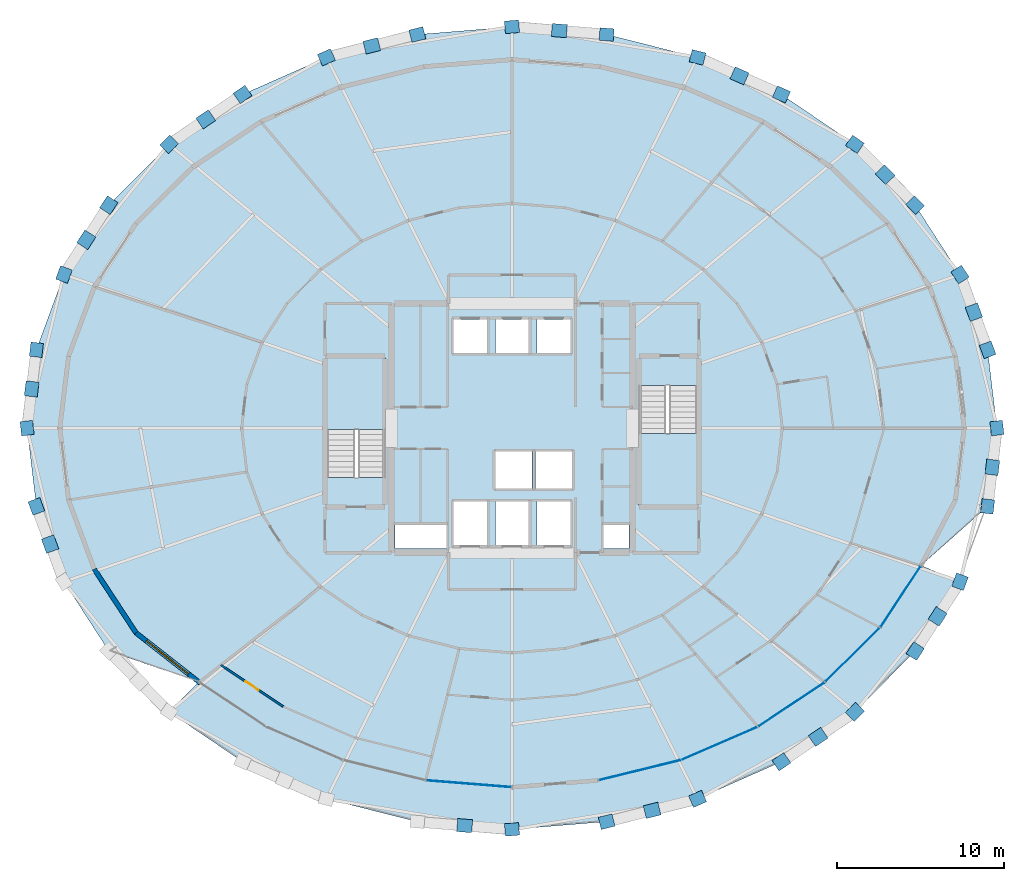
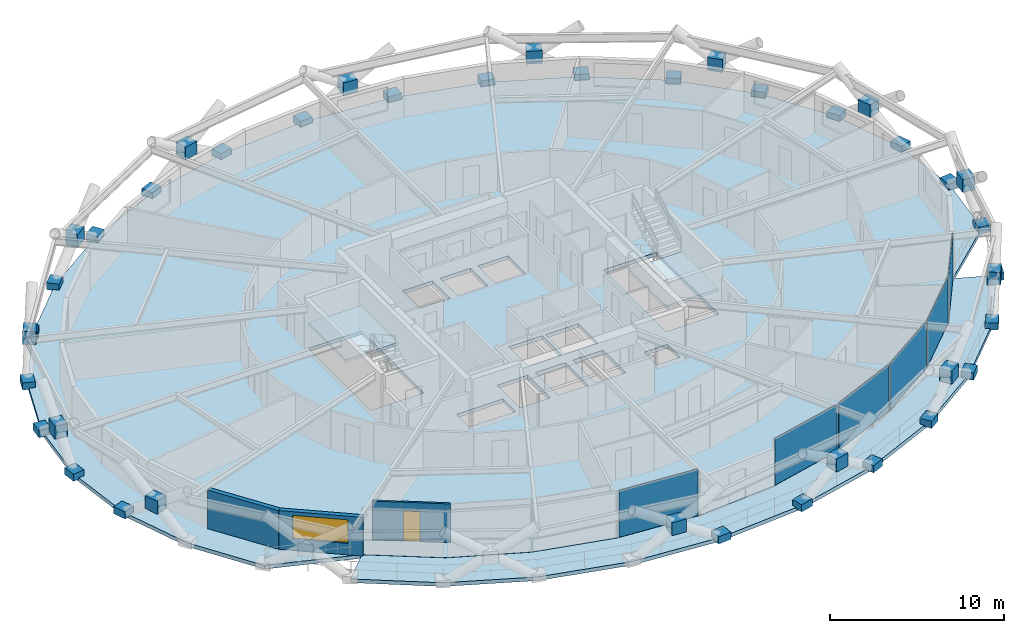
# One storey, part 12 of 19: 46 plates, 4 slabs, 3 walls, 1 door, 1 window, 2 openings, 4 elements without a shape of their own.
"""IFC4 building model written with IfcOpenShell, lengths in metres."""

import ifcopenshell
import ifcopenshell.guid

model = None  # the IFC model being written
_history = None  # IfcOwnerHistory: only IFC2X3 demands one
_inside = {}  # id of a spatial element -> (the spatial element, [elements in it])
_under = {}  # id of a project, library or spatial element -> (it, [spatial elements below it])
_declared = {}  # id of a project -> (the project, [libraries it declares])
_typed = {}  # id of a type object -> (the type object, [elements of that type])
_made_of = {}  # id of a material, layer set ... -> (it, [elements and type objects made of it])


def new_model(schema):
    """Start an empty IFC model of exactly this schema.

    Asked for "IFC4X3", IfcOpenShell would pick the latest addendum, in which some entities
    have other attributes; the version numbers below select the first issue.
    IFC2X3 requires an IfcOwnerHistory on every rooted entity: one is made here for all.
    """
    global model, _history
    if schema == "IFC4X3":
        model = ifcopenshell.file(schema_version=(4, 3, 0, 0))
    else:
        model = ifcopenshell.file(schema=schema)
    _inside.clear()
    _under.clear()
    _declared.clear()
    _typed.clear()
    _made_of.clear()
    _history = None
    if model.schema == "IFC2X3":
        org = make("IfcOrganization", Name="unknown")
        user = make(
            "IfcPersonAndOrganization",
            ThePerson=make("IfcPerson", FamilyName="unknown"),
            TheOrganization=org,
        )
        app = make(
            "IfcApplication",
            ApplicationDeveloper=org,
            Version="unknown",
            ApplicationFullName="unknown",
            ApplicationIdentifier="unknown",
        )
        _history = make(
            "IfcOwnerHistory",
            OwningUser=user,
            OwningApplication=app,
            ChangeAction="ADDED",
            CreationDate=0,
        )
    return model


def make(cls, **values):
    """One entity of the class cls with the attributes given. An attribute that is None is left unset."""
    return model.create_entity(
        cls, **{name: value for name, value in values.items() if value is not None}
    )


def rooted(cls, **values):
    """An entity with a GlobalId (a new one), such as an element, a storey or a relation."""
    return make(cls, GlobalId=ifcopenshell.guid.new(), OwnerHistory=_history, **values)


def si_unit(unit_type, name, prefix=None):
    """IfcSIUnit, for example si_unit("LENGTHUNIT", "METRE", prefix="MILLI")."""
    return make("IfcSIUnit", UnitType=unit_type, Prefix=prefix, Name=name)


def assignment(units):
    """IfcUnitAssignment: the units of a project."""
    return None if units is None else make("IfcUnitAssignment", Units=units)


def point(xyz):
    """IfcCartesianPoint."""
    return None if xyz is None else make("IfcCartesianPoint", Coordinates=xyz)


def direction(xyz):
    """IfcDirection."""
    return None if xyz is None else make("IfcDirection", DirectionRatios=xyz)


def frame(location, z_axis=None, x_axis=None):
    """IfcAxis2Placement3D, a coordinate frame: its origin and axes. An axis left out is left unset."""
    return make(
        "IfcAxis2Placement3D",
        Location=point(location),
        Axis=direction(z_axis),
        RefDirection=direction(x_axis),
    )


def frame_2d(location, x_axis=None):
    """IfcAxis2Placement2D, a coordinate frame in the plane: its origin and x axis."""
    return make(
        "IfcAxis2Placement2D", Location=point(location), RefDirection=direction(x_axis)
    )


def origin():
    """The frame at (0, 0, 0) with its axes left unset."""
    return frame((0.0, 0.0, 0.0))


def origin_2d():
    """The frame at (0, 0) in the plane with its x axis left unset."""
    return frame_2d((0.0, 0.0))


def place(relative_to, where):
    """IfcLocalPlacement: puts the frame where relative to a parent placement (None: the world)."""
    return make(
        "IfcLocalPlacement", PlacementRelTo=relative_to, RelativePlacement=where
    )


def context(
    kind, dimensions, precision=None, world=None, true_north=None, identifier=None
):
    """IfcGeometricRepresentationContext, for example the 3D "Model" context."""
    return make(
        "IfcGeometricRepresentationContext",
        ContextIdentifier=identifier,
        ContextType=kind,
        CoordinateSpaceDimension=dimensions,
        Precision=precision,
        WorldCoordinateSystem=world,
        TrueNorth=true_north,
    )


def subcontext(parent, identifier, kind, view, scale=None):
    """IfcGeometricRepresentationSubContext, for example "Body" below "Model"."""
    return make(
        "IfcGeometricRepresentationSubContext",
        ContextIdentifier=identifier,
        ContextType=kind,
        ParentContext=parent,
        TargetScale=scale,
        TargetView=view,
    )


def project(units=None, contexts=None):
    """IfcProject with its units and contexts."""
    return rooted(
        "IfcProject",
        Name="project",
        RepresentationContexts=contexts,
        UnitsInContext=assignment(units),
    )


def spatial(cls, under=None, at=None, **own):
    """A site, building, storey or space (cls), placed at a placement, below another one or the project."""
    s = rooted(cls, ObjectPlacement=at, **own)
    if under is not None:
        _under.setdefault(under.id(), (under, []))[1].append(s)
    return s


def polyline(points):
    """IfcPolyline through the points."""
    return make("IfcPolyline", Points=[point(p) for p in points])


def profile(cls, at=None, kind="AREA", **sizes):
    """A parametric profile (cls). Its sizes go by their IFC names, for example OverallWidth=200.0."""
    return make(cls, ProfileType=kind, Position=at, **sizes)


def rectangle(**sizes):
    """IfcRectangleProfileDef."""
    return profile("IfcRectangleProfileDef", **sizes)


def outline(outer, holes=None, kind="AREA"):
    """IfcArbitraryClosedProfileDef: a profile drawn as a closed curve; with holes, ...WithVoids."""
    if holes is None:
        return make("IfcArbitraryClosedProfileDef", ProfileType=kind, OuterCurve=outer)
    return make(
        "IfcArbitraryProfileDefWithVoids",
        ProfileType=kind,
        OuterCurve=outer,
        InnerCurves=holes,
    )


def extrude(swept, where, along, depth):
    """IfcExtrudedAreaSolid: the profile swept, set in the frame where, extruded along a direction by depth."""
    return make(
        "IfcExtrudedAreaSolid",
        SweptArea=swept,
        Position=where,
        ExtrudedDirection=direction(along),
        Depth=depth,
    )


def shape(context_of_items, identifier, shape_type, items):
    """IfcShapeRepresentation: the items that make up one representation, for example the "Body"."""
    return make(
        "IfcShapeRepresentation",
        ContextOfItems=context_of_items,
        RepresentationIdentifier=identifier,
        RepresentationType=shape_type,
        Items=items,
    )


def material(Name=None, Category=None):
    """IfcMaterial."""
    return make("IfcMaterial", Name=Name, Category=Category)


def layer(
    of_material, thickness, ventilated=None, Name=None, Category=None, Priority=None
):
    """IfcMaterialLayer: one layer of a wall or slab, of a material (None: an air gap)."""
    return make(
        "IfcMaterialLayer",
        Material=of_material,
        LayerThickness=thickness,
        IsVentilated=ventilated,
        Name=Name,
        Category=Category,
        Priority=Priority,
    )


def layer_set(layers, Name=None):
    """IfcMaterialLayerSet."""
    return make("IfcMaterialLayerSet", MaterialLayers=layers, LayerSetName=Name)


def made_of(thing, what):
    """Note that an element or type object is made of a material, layer set ...; save() writes the relation."""
    if what is not None:
        _made_of.setdefault(what.id(), (what, []))[1].append(thing)
    return thing


def type_object(cls, material=None, **own):
    """A type object (cls), such as IfcWallType, which elements share."""
    return made_of(rooted(cls, **own), material)


def element(
    cls,
    number,
    at=None,
    inside=None,
    cuts=None,
    type_object=None,
    material=None,
    context=None,
    identifier="Body",
    shape_type=None,
    held_by="IfcProductDefinitionShape",
    body=None,
    shapes=None,
    **own,
):
    """One element of the class cls, such as IfcWall. Its Tag is "e" and its number.

    at: its placement. inside: the storey or other place that contains it. cuts: it is an
    opening in that element (IfcRelVoidsElement). A single representation is given by context,
    identifier, shape_type and body (its items); several are given by shapes. held_by: the class
    of the entity that holds the representations. save() writes the other relations.
    """
    e = rooted(cls, Tag="e%d" % number, ObjectPlacement=at, **own)
    if body is not None:
        shapes = [shape(context, identifier, shape_type, body)]
    if shapes is not None:
        e.Representation = make(held_by, Representations=shapes)
    if inside is not None:
        _inside.setdefault(inside.id(), (inside, []))[1].append(e)
    if cuts is not None:
        rooted(
            "IfcRelVoidsElement", RelatingBuildingElement=cuts, RelatedOpeningElement=e
        )
    if type_object is not None:
        _typed.setdefault(type_object.id(), (type_object, []))[1].append(e)
    return made_of(e, material)


def fill(opening, filler):
    """IfcRelFillsElement: the door or window that sits in an opening."""
    return rooted(
        "IfcRelFillsElement",
        RelatingOpeningElement=opening,
        RelatedBuildingElement=filler,
    )


def aggregate(whole, parts):
    """IfcRelAggregates: a whole, such as a stair, and the parts it consists of."""
    return rooted("IfcRelAggregates", RelatingObject=whole, RelatedObjects=parts)


def save(model, path):
    """Write the relations noted so far, then the file.

    IfcRelAggregates (storeys below a building ...), IfcRelContainedInSpatialStructure (elements
    in a storey), IfcRelDefinesByType, IfcRelAssociatesMaterial and IfcRelDeclares: one each for
    every whole, place, type object, material and project.
    """
    for whole, parts in _under.values():
        aggregate(whole, parts)
    for where, things in _inside.values():
        rooted(
            "IfcRelContainedInSpatialStructure",
            RelatedElements=things,
            RelatingStructure=where,
        )
    for kind, things in _typed.values():
        rooted("IfcRelDefinesByType", RelatedObjects=things, RelatingType=kind)
    for what, things in _made_of.values():
        rooted("IfcRelAssociatesMaterial", RelatedObjects=things, RelatingMaterial=what)
    for by, libraries in _declared.values():
        rooted("IfcRelDeclares", RelatingContext=by, RelatedDefinitions=libraries)
    model.write(path)


model = new_model("IFC4")

# Units and contexts
model_context = context("Model", 3, precision=1e-05, world=origin(), true_north=direction((0.0, 1.0)))
body_context = subcontext(model_context, "Body", "Model", "MODEL_VIEW")
ifc_project = project(units=[si_unit("LENGTHUNIT", "METRE"), si_unit("AREAUNIT", "SQUARE_METRE"), si_unit("VOLUMEUNIT", "CUBIC_METRE"), si_unit("PLANEANGLEUNIT", "RADIAN"), si_unit("MASSUNIT", "GRAM", prefix="KILO")], contexts=[model_context])

# Site, building, storey
site_placement = place(None, origin())
site = spatial("IfcSite", under=ifc_project, at=site_placement, CompositionType="ELEMENT")
building_placement = place(site_placement, origin())
building = spatial("IfcBuilding", under=site, at=building_placement, Name="Veldorina Hangang Commons", CompositionType="ELEMENT")
storey_placement = place(building_placement, frame((0.0, 0.0, 77.199951171875)))
storey = spatial("IfcBuildingStorey", under=building, at=storey_placement, Name="L19", CompositionType="ELEMENT", Elevation=77.199951171875)

# Curtain wall, plate
ifc_material_1 = material(Name="Glass Low-E Triple IGU", Category="glass")
ifc_layer_1 = layer(ifc_material_1, 0.179931640625)
ifc_layer_set_1 = layer_set([ifc_layer_1], Name="Glass Low-E Triple IGU")
curtain_wall_type = type_object("IfcCurtainWallType", Name="CW-SYS-Z1", PredefinedType="NOTDEFINED", material=ifc_layer_set_1)
curtain_wall_1_placement = place(storey_placement, origin())
curtain_wall_1 = element("IfcCurtainWall", 1, at=curtain_wall_1_placement, inside=storey, type_object=curtain_wall_type, Name="L19 unitised curtain wall CW-L19-R1", PredefinedType="NOTDEFINED")
ifc_layer_2 = layer(ifc_material_1, 0.0400390625)
ifc_layer_set_2 = layer_set([ifc_layer_2], Name="Glass Low-E Triple IGU")
plate_type_1 = type_object("IfcPlateType", Name="CW-PNL-VIS", PredefinedType="CURTAIN_PANEL", material=ifc_layer_set_2)
plate_1_placement = place(storey_placement, frame((29.41796875, 2.735595703125, 0.01513671875), z_axis=(0.0, 0.0, 1.0), x_axis=(0.996823514521, -0.079642205503, 0.0)))
plate_1 = element("IfcPlate", 2, at=plate_1_placement, type_object=plate_type_1, Name="CW-L19-R1 facet 4 glazed vision panel", PredefinedType="CURTAIN_PANEL", context=body_context, shape_type="SweptSolid", body=[
    extrude(rectangle(XDim=5.000732421875, YDim=0.0400390625, at=origin_2d()), origin(), (0.0, 0.0, 1.0), 3.27001953125),
])
aggregate(curtain_wall_1, [plate_1])

# Curtain wall, plates
curtain_wall_2_placement = place(storey_placement, origin())
curtain_wall_2 = element("IfcCurtainWall", 3, at=curtain_wall_2_placement, inside=storey, type_object=curtain_wall_type, Name="L19 unitised curtain wall CW-L19-R2", PredefinedType="NOTDEFINED")
plate_2_placement = place(storey_placement, frame((39.647216796875, 3.552978515625, 0.01513671875), z_axis=(0.0, 0.0, 1.0), x_axis=(0.9710384482, 0.238923276634, 0.0)))
plate_2 = element("IfcPlate", 4, at=plate_2_placement, type_object=plate_type_1, Name="CW-L19-R2 facet 1 glazed vision panel", PredefinedType="CURTAIN_PANEL", context=body_context, shape_type="SweptSolid", body=[
    extrude(rectangle(XDim=4.933837890625, YDim=0.0400390625, at=origin_2d()), origin(), (0.0, 0.0, 1.0), 3.27001953125),
])
plate_3_placement = place(storey_placement, frame((44.418212890625, 5.15576171875, 0.01513671875), z_axis=(0.0, 0.0, 1.0), x_axis=(0.917491025402, 0.397756481162, 0.0)))
plate_3 = element("IfcPlate", 5, at=plate_3_placement, type_object=plate_type_1, Name="CW-L19-R2 facet 2 glazed vision panel", PredefinedType="CURTAIN_PANEL", context=body_context, shape_type="SweptSolid", body=[
    extrude(rectangle(XDim=4.80810546875, YDim=0.0400390625, at=origin_2d()), origin(), (0.0, 0.0, 1.0), 3.27001953125),
])
plate_4_placement = place(storey_placement, frame((48.7119140625, 7.48291015625, 0.01513671875), z_axis=(0.0, 0.0, 1.0), x_axis=(0.832428327075, 0.554132728038, 0.0)))
plate_4 = element("IfcPlate", 6, at=plate_4_placement, type_object=plate_type_1, Name="CW-L19-R2 facet 3 glazed vision panel", PredefinedType="CURTAIN_PANEL", context=body_context, shape_type="SweptSolid", body=[
    extrude(rectangle(XDim=4.638671875, YDim=0.0400390625, at=origin_2d()), origin(), (0.0, 0.0, 1.0), 3.27001953125),
])
plate_5_placement = place(storey_placement, frame((52.363525390625, 10.44482421875, 0.01513671875), z_axis=(0.0, 0.0, 1.0), x_axis=(0.711241289464, 0.702947955514, 0.0)))
plate_5 = element("IfcPlate", 7, at=plate_5_placement, type_object=plate_type_1, Name="CW-L19-R2 facet 4 glazed vision panel", PredefinedType="CURTAIN_PANEL", context=body_context, shape_type="SweptSolid", body=[
    extrude(rectangle(XDim=4.448486328125, YDim=0.0400390625, at=origin_2d()), origin(), (0.0, 0.0, 1.0), 3.27001953125),
])
plate_6_placement = place(storey_placement, frame((55.232666015625, 13.927490234375, 0.01513671875), z_axis=(0.0, 0.0, 1.0), x_axis=(0.550247585121, 0.835001553932, 0.0)))
plate_6 = element("IfcPlate", 8, at=plate_6_placement, type_object=plate_type_1, Name="CW-L19-R2 facet 5 glazed vision panel", PredefinedType="CURTAIN_PANEL", context=body_context, shape_type="SweptSolid", body=[
    extrude(rectangle(XDim=4.265380859375, YDim=0.0400390625, at=origin_2d()), origin(), (0.0, 0.0, 1.0), 3.27001953125),
])
aggregate(curtain_wall_2, [plate_2, plate_3, plate_4, plate_5, plate_6])

# Plates
ifc_material_2 = material(Name="Steel SM460-TMC", Category="steel")
ifc_layer_3 = layer(ifc_material_2, 0.035888671875)
ifc_layer_set_3 = layer_set([ifc_layer_3], Name="Steel SM460-TMC")
plate_type_2 = type_object("IfcPlateType", Name="PL-STAR-36", PredefinedType="USERDEFINED", material=ifc_layer_set_3)
for number, where, z_axis, x_axis, name in (
    (9, (60.990478515625, 24.0, -0.08984375), (0.0, 0.0, 1.0), (-0.118178668534, 0.992992347555, 0.0), "L19 diagrid star-node gusset plate 00"),
    (10, (60.43359375, 28.680419921875, -0.08984375), (0.0, 0.0, 1.0), (-0.344184130134, 0.938902169858, 0.0), "L19 diagrid star-node gusset plate 01"),
):
    element("IfcPlate", number, at=place(storey_placement, frame(where, z_axis=z_axis, x_axis=x_axis)), inside=storey, type_object=plate_type_2, Name=name, ObjectType="GUSSET PLATE", PredefinedType="USERDEFINED", context=body_context, shape_type="SweptSolid", body=[
        extrude(rectangle(XDim=0.85009765625, YDim=0.75, at=origin_2d()), origin(), (0.0, 0.0, 1.0), 0.5),
    ])
plate_7_placement = place(storey_placement, frame((59.61328125, 30.931884765625, 1.349853515625), z_axis=(0.0, 0.0, 1.0), x_axis=(-0.344184130134, 0.938902169858, 0.0)))
element("IfcPlate", 11, at=plate_7_placement, inside=storey, type_object=plate_type_2, Name="L19 diagrid X-crossing star-node gusset plate 01", ObjectType="GUSSET PLATE", PredefinedType="USERDEFINED", context=body_context, shape_type="SweptSolid", body=[
    extrude(rectangle(XDim=0.89990234375, YDim=0.780029296875, at=origin_2d()), origin(), (0.0, 0.0, 1.0), 0.89990234375),
])
for number, where, z_axis, x_axis, name in (
    (12, (58.78369140625, 33.180908203125, -0.08984375), (0.0, 0.0, 1.0), (-0.542558830563, 0.840017806584, 0.0), "L19 diagrid star-node gusset plate 02"),
    (13, (56.104736328125, 37.32861328125, -0.08984375), (0.0, 0.0, 1.0), (-0.704175842283, 0.71002562147, 0.0), "L19 diagrid star-node gusset plate 03"),
):
    element("IfcPlate", number, at=place(storey_placement, frame(where, z_axis=z_axis, x_axis=x_axis)), inside=storey, type_object=plate_type_2, Name=name, ObjectType="GUSSET PLATE", PredefinedType="USERDEFINED", context=body_context, shape_type="SweptSolid", body=[
        extrude(rectangle(XDim=0.85009765625, YDim=0.75, at=origin_2d()), origin(), (0.0, 0.0, 1.0), 0.5),
    ])
plate_8_placement = place(storey_placement, frame((54.305908203125, 39.149169921875, 1.349853515625), z_axis=(0.0, 0.0, 1.0), x_axis=(-0.704175842283, 0.71002562147, 0.0)))
element("IfcPlate", 14, at=plate_8_placement, inside=storey, type_object=plate_type_2, Name="L19 diagrid X-crossing star-node gusset plate 03", ObjectType="GUSSET PLATE", PredefinedType="USERDEFINED", context=body_context, shape_type="SweptSolid", body=[
    extrude(rectangle(XDim=0.89990234375, YDim=0.780029296875, at=origin_2d()), origin(), (0.0, 0.0, 1.0), 0.89990234375),
])
for number, where, z_axis, x_axis, name in (
    (15, (52.49951171875, 40.9638671875, -0.08984375), (0.0, 0.0, 1.0), (-0.827247311362, 0.561837953368, 0.0), "L19 diagrid star-node gusset plate 04"),
    (16, (48.106201171875, 43.947509765625, -0.08984375), (0.0, 0.0, 1.0), (-0.914536574598, 0.404503218432, 0.0), "L19 diagrid star-node gusset plate 05"),
):
    element("IfcPlate", number, at=place(storey_placement, frame(where, z_axis=z_axis, x_axis=x_axis)), inside=storey, type_object=plate_type_2, Name=name, ObjectType="GUSSET PLATE", PredefinedType="USERDEFINED", context=body_context, shape_type="SweptSolid", body=[
        extrude(rectangle(XDim=0.85009765625, YDim=0.75, at=origin_2d()), origin(), (0.0, 0.0, 1.0), 0.5),
    ])
plate_9_placement = place(storey_placement, frame((45.6025390625, 45.06005859375, 1.349853515625), z_axis=(0.0, 0.0, 1.0), x_axis=(-0.914536574598, 0.404503218432, 0.0)))
element("IfcPlate", 17, at=plate_9_placement, inside=storey, type_object=plate_type_2, Name="L19 diagrid X-crossing star-node gusset plate 05", ObjectType="GUSSET PLATE", PredefinedType="USERDEFINED", context=body_context, shape_type="SweptSolid", body=[
    extrude(rectangle(XDim=0.89990234375, YDim=0.780029296875, at=origin_2d()), origin(), (0.0, 0.0, 1.0), 0.89990234375),
])
for number, where, z_axis, x_axis, name in (
    (18, (43.09423828125, 46.164306640625, -0.08984375), (0.0, 0.0, 1.0), (-0.969906020903, 0.243479589732, 0.0), "L19 diagrid star-node gusset plate 06"),
    (19, (37.65576171875, 47.529541015625, -0.08984375), (0.0, 0.0, 1.0), (-0.996694347809, 0.081242704565, 0.0), "L19 diagrid star-node gusset plate 07"),
):
    element("IfcPlate", number, at=place(storey_placement, frame(where, z_axis=z_axis, x_axis=x_axis)), inside=storey, type_object=plate_type_2, Name=name, ObjectType="GUSSET PLATE", PredefinedType="USERDEFINED", context=body_context, shape_type="SweptSolid", body=[
        extrude(rectangle(XDim=0.85009765625, YDim=0.75, at=origin_2d()), origin(), (0.0, 0.0, 1.0), 0.5),
    ])
plate_10_placement = place(storey_placement, frame((34.828369140625, 47.764892578125, 1.349853515625), z_axis=(0.0, 0.0, 1.0), x_axis=(-0.996694347809, 0.081242704565, 0.0)))
element("IfcPlate", 20, at=plate_10_placement, inside=storey, type_object=plate_type_2, Name="L19 diagrid X-crossing star-node gusset plate 07", ObjectType="GUSSET PLATE", PredefinedType="USERDEFINED", context=body_context, shape_type="SweptSolid", body=[
    extrude(rectangle(XDim=0.89990234375, YDim=0.780029296875, at=origin_2d()), origin(), (0.0, 0.0, 1.0), 0.89990234375),
])
for number, where, z_axis, x_axis, name in (
    (21, (32.0, 47.990478515625, -0.08984375), (0.0, 0.0, 1.0), (-0.996694347809, -0.081242704565, 0.0), "L19 diagrid star-node gusset plate 08"),
    (22, (26.34423828125, 47.529541015625, -0.08984375), (0.0, 0.0, 1.0), (-0.969906020903, -0.243479589732, 0.0), "L19 diagrid star-node gusset plate 09"),
):
    element("IfcPlate", number, at=place(storey_placement, frame(where, z_axis=z_axis, x_axis=x_axis)), inside=storey, type_object=plate_type_2, Name=name, ObjectType="GUSSET PLATE", PredefinedType="USERDEFINED", context=body_context, shape_type="SweptSolid", body=[
        extrude(rectangle(XDim=0.85009765625, YDim=0.75, at=origin_2d()), origin(), (0.0, 0.0, 1.0), 0.5),
    ])
plate_11_placement = place(storey_placement, frame((23.623779296875, 46.8515625, 1.349853515625), z_axis=(0.0, 0.0, 1.0), x_axis=(-0.969906020903, -0.243479589732, 0.0)))
element("IfcPlate", 23, at=plate_11_placement, inside=storey, type_object=plate_type_2, Name="L19 diagrid X-crossing star-node gusset plate 09", ObjectType="GUSSET PLATE", PredefinedType="USERDEFINED", context=body_context, shape_type="SweptSolid", body=[
    extrude(rectangle(XDim=0.89990234375, YDim=0.780029296875, at=origin_2d()), origin(), (0.0, 0.0, 1.0), 0.89990234375),
])
for number, where, z_axis, x_axis, name in (
    (24, (20.90576171875, 46.164306640625, -0.08984375), (0.0, 0.0, 1.0), (-0.914536574598, -0.404503218432, 0.0), "L19 diagrid star-node gusset plate 10"),
    (25, (15.893798828125, 43.947509765625, -0.08984375), (0.0, 0.0, 1.0), (-0.827247311362, -0.561837953368, 0.0), "L19 diagrid star-node gusset plate 11"),
):
    element("IfcPlate", number, at=place(storey_placement, frame(where, z_axis=z_axis, x_axis=x_axis)), inside=storey, type_object=plate_type_2, Name=name, ObjectType="GUSSET PLATE", PredefinedType="USERDEFINED", context=body_context, shape_type="SweptSolid", body=[
        extrude(rectangle(XDim=0.85009765625, YDim=0.75, at=origin_2d()), origin(), (0.0, 0.0, 1.0), 0.5),
    ])
plate_12_placement = place(storey_placement, frame((13.694091796875, 42.459228515625, 1.349853515625), z_axis=(0.0, 0.0, 1.0), x_axis=(-0.827247311362, -0.561837953368, 0.0)))
element("IfcPlate", 26, at=plate_12_placement, inside=storey, type_object=plate_type_2, Name="L19 diagrid X-crossing star-node gusset plate 11", ObjectType="GUSSET PLATE", PredefinedType="USERDEFINED", context=body_context, shape_type="SweptSolid", body=[
    extrude(rectangle(XDim=0.89990234375, YDim=0.780029296875, at=origin_2d()), origin(), (0.0, 0.0, 1.0), 0.89990234375),
])
for number, where, z_axis, x_axis, name in (
    (27, (11.50048828125, 40.9638671875, -0.08984375), (0.0, 0.0, 1.0), (-0.704175842283, -0.71002562147, 0.0), "L19 diagrid star-node gusset plate 12"),
    (28, (7.895263671875, 37.32861328125, -0.08984375), (0.0, 0.0, 1.0), (-0.542558830563, -0.840017806584, 0.0), "L19 diagrid star-node gusset plate 13"),
):
    element("IfcPlate", number, at=place(storey_placement, frame(where, z_axis=z_axis, x_axis=x_axis)), inside=storey, type_object=plate_type_2, Name=name, ObjectType="GUSSET PLATE", PredefinedType="USERDEFINED", context=body_context, shape_type="SweptSolid", body=[
        extrude(rectangle(XDim=0.85009765625, YDim=0.75, at=origin_2d()), origin(), (0.0, 0.0, 1.0), 0.5),
    ])
plate_13_placement = place(storey_placement, frame((6.551513671875, 35.2568359375, 1.349853515625), z_axis=(0.0, 0.0, 1.0), x_axis=(-0.542558830563, -0.840017806584, 0.0)))
element("IfcPlate", 29, at=plate_13_placement, inside=storey, type_object=plate_type_2, Name="L19 diagrid X-crossing star-node gusset plate 13", ObjectType="GUSSET PLATE", PredefinedType="USERDEFINED", context=body_context, shape_type="SweptSolid", body=[
    extrude(rectangle(XDim=0.89990234375, YDim=0.780029296875, at=origin_2d()), origin(), (0.0, 0.0, 1.0), 0.89990234375),
])
for number, where, z_axis, x_axis, name in (
    (30, (5.21630859375, 33.180908203125, -0.08984375), (0.0, 0.0, 1.0), (-0.344184130134, -0.938902169858, 0.0), "L19 diagrid star-node gusset plate 14"),
    (31, (3.56640625, 28.680419921875, -0.08984375), (0.0, 0.0, 1.0), (-0.118178668534, -0.992992347555, 0.0), "L19 diagrid star-node gusset plate 15"),
):
    element("IfcPlate", number, at=place(storey_placement, frame(where, z_axis=z_axis, x_axis=x_axis)), inside=storey, type_object=plate_type_2, Name=name, ObjectType="GUSSET PLATE", PredefinedType="USERDEFINED", context=body_context, shape_type="SweptSolid", body=[
        extrude(rectangle(XDim=0.85009765625, YDim=0.75, at=origin_2d()), origin(), (0.0, 0.0, 1.0), 0.5),
    ])
plate_14_placement = place(storey_placement, frame((3.283203125, 26.340576171875, 1.349609375), z_axis=(0.0, 0.0, 1.0), x_axis=(-0.118178668534, -0.992992347555, 0.0)))
element("IfcPlate", 32, at=plate_14_placement, inside=storey, type_object=plate_type_2, Name="L19 diagrid X-crossing star-node gusset plate 15", ObjectType="GUSSET PLATE", PredefinedType="USERDEFINED", context=body_context, shape_type="SweptSolid", body=[
    extrude(rectangle(XDim=0.89990234375, YDim=0.780029296875, at=origin_2d()), origin(), (0.0, 0.0, 1.0), 0.89990234375),
])
for number, where, z_axis, x_axis, name in (
    (33, (3.009521484375, 24.0, -0.08984375), (0.0, 0.0, 1.0), (0.118178668534, -0.992992347555, 0.0), "L19 diagrid star-node gusset plate 16"),
    (34, (3.56640625, 19.319580078125, -0.08984375), (0.0, 0.0, 1.0), (0.344184130134, -0.938902169858, 0.0), "L19 diagrid star-node gusset plate 17"),
):
    element("IfcPlate", number, at=place(storey_placement, frame(where, z_axis=z_axis, x_axis=x_axis)), inside=storey, type_object=plate_type_2, Name=name, ObjectType="GUSSET PLATE", PredefinedType="USERDEFINED", context=body_context, shape_type="SweptSolid", body=[
        extrude(rectangle(XDim=0.85009765625, YDim=0.75, at=origin_2d()), origin(), (0.0, 0.0, 1.0), 0.5),
    ])
for number, where, z_axis, x_axis, name in (
    (35, (4.38671875, 17.068115234375, 1.349853515625), (0.0, 0.0, 1.0), (0.344184130134, -0.938902169858, 0.0), "L19 diagrid X-crossing star-node gusset plate 17"),
    (36, (29.171630859375, 0.235107421875, 1.349853515625), (0.0, 0.0, 1.0), (0.996694347809, -0.081242704565, 0.0), "L19 diagrid X-crossing star-node gusset plate 23"),
):
    element("IfcPlate", number, at=place(storey_placement, frame(where, z_axis=z_axis, x_axis=x_axis)), inside=storey, type_object=plate_type_2, Name=name, ObjectType="GUSSET PLATE", PredefinedType="USERDEFINED", context=body_context, shape_type="SweptSolid", body=[
        extrude(rectangle(XDim=0.89990234375, YDim=0.780029296875, at=origin_2d()), origin(), (0.0, 0.0, 1.0), 0.89990234375),
    ])
for number, where, z_axis, x_axis, name in (
    (37, (32.0, 0.009521484375, -0.08984375), (0.0, 0.0, 1.0), (0.996694347809, 0.081242704565, 0.0), "L19 diagrid star-node gusset plate 24"),
    (38, (37.65576171875, 0.470458984375, -0.08984375), (0.0, 0.0, 1.0), (0.969906020903, 0.243479589732, 0.0), "L19 diagrid star-node gusset plate 25"),
):
    element("IfcPlate", number, at=place(storey_placement, frame(where, z_axis=z_axis, x_axis=x_axis)), inside=storey, type_object=plate_type_2, Name=name, ObjectType="GUSSET PLATE", PredefinedType="USERDEFINED", context=body_context, shape_type="SweptSolid", body=[
        extrude(rectangle(XDim=0.85009765625, YDim=0.75, at=origin_2d()), origin(), (0.0, 0.0, 1.0), 0.5),
    ])
plate_15_placement = place(storey_placement, frame((40.376220703125, 1.1484375, 1.349853515625), z_axis=(0.0, 0.0, 1.0), x_axis=(0.969906020903, 0.243479589732, 0.0)))
element("IfcPlate", 39, at=plate_15_placement, inside=storey, type_object=plate_type_2, Name="L19 diagrid X-crossing star-node gusset plate 25", ObjectType="GUSSET PLATE", PredefinedType="USERDEFINED", context=body_context, shape_type="SweptSolid", body=[
    extrude(rectangle(XDim=0.89990234375, YDim=0.780029296875, at=origin_2d()), origin(), (0.0, 0.0, 1.0), 0.89990234375),
])
for number, where, z_axis, x_axis, name in (
    (40, (43.09423828125, 1.835693359375, -0.08984375), (0.0, 0.0, 1.0), (0.914536574598, 0.404503218432, 0.0), "L19 diagrid star-node gusset plate 26"),
    (41, (48.106201171875, 4.052490234375, -0.08984375), (0.0, 0.0, 1.0), (0.827247311362, 0.561837953368, 0.0), "L19 diagrid star-node gusset plate 27"),
):
    element("IfcPlate", number, at=place(storey_placement, frame(where, z_axis=z_axis, x_axis=x_axis)), inside=storey, type_object=plate_type_2, Name=name, ObjectType="GUSSET PLATE", PredefinedType="USERDEFINED", context=body_context, shape_type="SweptSolid", body=[
        extrude(rectangle(XDim=0.85009765625, YDim=0.75, at=origin_2d()), origin(), (0.0, 0.0, 1.0), 0.5),
    ])
plate_16_placement = place(storey_placement, frame((50.305908203125, 5.540771484375, 1.349853515625), z_axis=(0.0, 0.0, 1.0), x_axis=(0.827247311362, 0.561837953368, 0.0)))
element("IfcPlate", 42, at=plate_16_placement, inside=storey, type_object=plate_type_2, Name="L19 diagrid X-crossing star-node gusset plate 27", ObjectType="GUSSET PLATE", PredefinedType="USERDEFINED", context=body_context, shape_type="SweptSolid", body=[
    extrude(rectangle(XDim=0.89990234375, YDim=0.780029296875, at=origin_2d()), origin(), (0.0, 0.0, 1.0), 0.89990234375),
])
for number, where, z_axis, x_axis, name in (
    (43, (52.49951171875, 7.0361328125, -0.08984375), (0.0, 0.0, 1.0), (0.704175842283, 0.71002562147, 0.0), "L19 diagrid star-node gusset plate 28"),
    (44, (56.104736328125, 10.67138671875, -0.08984375), (0.0, 0.0, 1.0), (0.542558830563, 0.840017806584, 0.0), "L19 diagrid star-node gusset plate 29"),
):
    element("IfcPlate", number, at=place(storey_placement, frame(where, z_axis=z_axis, x_axis=x_axis)), inside=storey, type_object=plate_type_2, Name=name, ObjectType="GUSSET PLATE", PredefinedType="USERDEFINED", context=body_context, shape_type="SweptSolid", body=[
        extrude(rectangle(XDim=0.85009765625, YDim=0.75, at=origin_2d()), origin(), (0.0, 0.0, 1.0), 0.5),
    ])
plate_17_placement = place(storey_placement, frame((57.448486328125, 12.7431640625, 1.349853515625), z_axis=(0.0, 0.0, 1.0), x_axis=(0.542558830563, 0.840017806584, 0.0)))
element("IfcPlate", 45, at=plate_17_placement, inside=storey, type_object=plate_type_2, Name="L19 diagrid X-crossing star-node gusset plate 29", ObjectType="GUSSET PLATE", PredefinedType="USERDEFINED", context=body_context, shape_type="SweptSolid", body=[
    extrude(rectangle(XDim=0.89990234375, YDim=0.780029296875, at=origin_2d()), origin(), (0.0, 0.0, 1.0), 0.89990234375),
])
for number, where, z_axis, x_axis, name in (
    (46, (58.78369140625, 14.819091796875, -0.08984375), (0.0, 0.0, 1.0), (0.344184130134, 0.938902169858, 0.0), "L19 diagrid star-node gusset plate 30"),
    (47, (60.43359375, 19.319580078125, -0.08984375), (0.0, 0.0, 1.0), (0.118178668534, 0.992992347555, 0.0), "L19 diagrid star-node gusset plate 31"),
):
    element("IfcPlate", number, at=place(storey_placement, frame(where, z_axis=z_axis, x_axis=x_axis)), inside=storey, type_object=plate_type_2, Name=name, ObjectType="GUSSET PLATE", PredefinedType="USERDEFINED", context=body_context, shape_type="SweptSolid", body=[
        extrude(rectangle(XDim=0.85009765625, YDim=0.75, at=origin_2d()), origin(), (0.0, 0.0, 1.0), 0.5),
    ])
plate_18_placement = place(storey_placement, frame((60.716796875, 21.659423828125, 1.349609375), z_axis=(0.0, 0.0, 1.0), x_axis=(0.118178668534, 0.992992347555, 0.0)))
element("IfcPlate", 48, at=plate_18_placement, inside=storey, type_object=plate_type_2, Name="L19 diagrid X-crossing star-node gusset plate 31", ObjectType="GUSSET PLATE", PredefinedType="USERDEFINED", context=body_context, shape_type="SweptSolid", body=[
    extrude(rectangle(XDim=0.89990234375, YDim=0.780029296875, at=origin_2d()), origin(), (0.0, 0.0, 1.0), 0.89990234375),
])

# Slabs
ifc_material_3 = material(Name="Concrete C40/50", Category="concrete")
ifc_layer_4 = layer(ifc_material_3, 0.260009765625)
ifc_layer_set_4 = layer_set([ifc_layer_4], Name="Concrete C40/50")
slab_type_1 = type_object("IfcSlabType", Name="SL-FLR-260", PredefinedType="FLOOR", material=ifc_layer_set_4)
slab_1_placement = place(storey_placement, frame((0.0, 0.0, -0.260009765625)))
element("IfcSlab", 49, at=slab_1_placement, inside=storey, type_object=slab_type_1, Name="L19 tower structural floor slab", PredefinedType="FLOOR", context=body_context, shape_type="SweptSolid", body=[
    extrude(outline(polyline([(60.990478515625, 24.0), (60.43359375, 28.680419921875), (58.78369140625, 33.180908203125), (56.104736328125, 37.32861328125), (52.49951171875, 40.9638671875), (48.106201171875, 43.947509765625), (43.09423828125, 46.164306640625), (37.65576171875, 47.529541015625), (32.0, 47.990478515625), (26.34423828125, 47.529541015625), (20.90576171875, 46.164306640625), (15.893798828125, 43.947509765625), (11.50048828125, 40.9638671875), (7.895263671875, 37.32861328125), (5.21630859375, 33.180908203125), (3.56640625, 28.680419921875), (3.009521484375, 24.0), (3.56640625, 19.319580078125), (5.21630859375, 14.819091796875), (7.895263671875, 10.67138671875), (13.282470703125, 8.818115234375), (17.293701171875, 6.147705078125), (21.8701171875, 4.163818359375), (26.835693359375, 2.94189453125), (32.0, 2.529296875), (37.164306640625, 2.94189453125), (42.1298828125, 4.163818359375), (46.706298828125, 6.147705078125), (50.717529296875, 8.818115234375), (54.009521484375, 12.071533203125), (56.45556640625, 15.78369140625), (60.43359375, 19.319580078125), (60.990478515625, 24.0)]), holes=[polyline([(20.949951171875, 21.05810546875), (20.949951171875, 28.199951171875), (24.449951171875, 28.199951171875), (24.449951171875, 21.05810546875), (20.949951171875, 21.05810546875)]), polyline([(43.050048828125, 26.5419921875), (43.050048828125, 19.39990234375), (39.550048828125, 19.39990234375), (39.550048828125, 26.5419921875), (43.050048828125, 26.5419921875)]), polyline([(28.5, 30.5), (30.5, 30.5), (30.5, 28.5), (28.5, 28.5), (28.5, 30.5)]), polyline([(31.0, 30.5), (33.0, 30.5), (33.0, 28.5), (31.0, 28.5), (31.0, 30.5)]), polyline([(33.5, 30.5), (35.5, 30.5), (35.5, 28.5), (33.5, 28.5), (33.5, 30.5)]), polyline([(31.0, 22.60009765625), (33.199951171875, 22.60009765625), (33.199951171875, 20.39990234375), (31.0, 20.39990234375), (31.0, 22.60009765625)]), polyline([(33.39990234375, 22.60009765625), (35.60009765625, 22.60009765625), (35.60009765625, 20.39990234375), (33.39990234375, 20.39990234375), (33.39990234375, 22.60009765625)]), polyline([(28.5, 19.60009765625), (30.5, 19.60009765625), (30.5, 17.0), (28.5, 17.0), (28.5, 19.60009765625)]), polyline([(31.0, 19.60009765625), (33.0, 19.60009765625), (33.0, 17.0), (31.0, 17.0), (31.0, 19.60009765625)]), polyline([(33.5, 19.60009765625), (35.5, 19.60009765625), (35.5, 17.0), (33.5, 17.0), (33.5, 19.60009765625)]), polyline([(25.0, 18.25), (28.10009765625, 18.25), (28.10009765625, 16.800048828125), (25.0, 16.800048828125), (25.0, 18.25)]), polyline([(37.449951171875, 18.25), (39.0, 18.25), (39.0, 16.800048828125), (37.449951171875, 16.800048828125), (37.449951171875, 18.25)])]), origin(), (0.0, 0.0, 1.0), 0.260009765625),
])
slab_2_placement = place(storey_placement, frame((0.0, 0.0, -0.260009765625)))
element("IfcSlab", 50, at=slab_2_placement, inside=storey, type_object=slab_type_1, Name="L19 sky-garden loggia outdoor slab", PredefinedType="FLOOR", context=body_context, shape_type="SweptSolid", body=[
    extrude(outline(polyline([(58.78369140625, 14.819091796875), (56.104736328125, 10.67138671875), (52.49951171875, 7.0361328125), (48.106201171875, 4.052490234375), (43.09423828125, 1.835693359375), (37.65576171875, 0.470458984375), (32.0, 0.009521484375), (26.34423828125, 0.470458984375), (20.90576171875, 1.835693359375), (15.893798828125, 4.052490234375), (11.50048828125, 7.0361328125), (13.270751953125, 8.80615234375), (13.27587890625, 8.804443359375), (17.285400390625, 6.13525390625), (17.28662109375, 6.134521484375), (17.28759765625, 6.134033203125), (21.864013671875, 4.14990234375), (21.865234375, 4.149658203125), (21.866455078125, 4.149169921875), (26.832275390625, 2.927490234375), (26.83349609375, 2.92724609375), (26.834716796875, 2.927001953125), (31.998779296875, 2.514404296875), (32.0, 2.514404296875), (32.001220703125, 2.514404296875), (37.165283203125, 2.927001953125), (37.16650390625, 2.92724609375), (37.167724609375, 2.927490234375), (42.133544921875, 4.149169921875), (42.134765625, 4.149658203125), (42.135986328125, 4.14990234375), (46.71240234375, 6.134033203125), (46.71337890625, 6.134521484375), (46.714599609375, 6.13525390625), (50.725830078125, 8.805419921875), (50.72705078125, 8.806396484375), (50.72802734375, 8.807373046875), (54.02001953125, 12.060791015625), (54.02099609375, 12.06201171875), (54.02197265625, 12.063232421875), (56.467041015625, 15.773681640625), (56.470947265625, 15.777099609375), (58.78369140625, 14.819091796875)])), origin(), (0.0, 0.0, 1.0), 0.260009765625),
])

# Stair, slab
stair_type = type_object("IfcStairType", Name="STR-DOG-1650-20R", PredefinedType="HALF_TURN_STAIR", material=ifc_material_3)
stair_1_placement = place(storey_placement, origin())
stair_1 = element("IfcStair", 51, at=stair_1_placement, inside=storey, type_object=stair_type, Name="L19 Exit stair ST-1", PredefinedType="HALF_TURN_STAIR")
ifc_layer_5 = layer(ifc_material_3, 0.199951171875)
ifc_layer_set_5 = layer_set([ifc_layer_5], Name="Concrete C40/50")
slab_type_2 = type_object("IfcSlabType", Name="SL-LND-200", PredefinedType="LANDING", material=ifc_layer_set_5)
slab_3_placement = place(storey_placement, frame((0.0, 0.0, 1.60009765625)))
slab_3 = element("IfcSlab", 52, at=slab_3_placement, type_object=slab_type_2, Name="ST-1 landing 1", PredefinedType="LANDING", context=body_context, shape_type="SweptSolid", body=[
    extrude(outline(polyline([(24.449951171875, 23.929931640625), (24.449951171875, 28.199951171875), (20.949951171875, 28.199951171875), (20.949951171875, 23.929931640625), (24.449951171875, 23.929931640625)])), origin(), (0.0, 0.0, 1.0), 0.199951171875),
])
aggregate(stair_1, [slab_3])

stair_2_placement = place(storey_placement, origin())
stair_2 = element("IfcStair", 53, at=stair_2_placement, inside=storey, type_object=stair_type, Name="L19 Exit stair ST-2", PredefinedType="HALF_TURN_STAIR")
slab_4_placement = place(storey_placement, frame((0.0, 0.0, 1.60009765625)))
slab_4 = element("IfcSlab", 54, at=slab_4_placement, type_object=slab_type_2, Name="ST-2 landing 1", PredefinedType="LANDING", context=body_context, shape_type="SweptSolid", body=[
    extrude(outline(polyline([(39.550048828125, 23.669921875), (39.550048828125, 19.39990234375), (43.050048828125, 19.39990234375), (43.050048828125, 23.669921875), (39.550048828125, 23.669921875)])), origin(), (0.0, 0.0, 1.0), 0.199951171875),
])
aggregate(stair_2, [slab_4])

# Wall
ifc_material_4 = material(Name="Stone Roman Travertine", Category="masonry")
ifc_layer_6 = layer(ifc_material_4, 0.280029296875)
ifc_layer_set_6 = layer_set([ifc_layer_6], Name="Stone Roman Travertine")
wall_type_1 = type_object("IfcWallType", Name="EW-TRAV-280", PredefinedType="STANDARD", material=ifc_layer_set_6)
wall_1_placement = place(storey_placement, frame((7.027099609375, 15.5693359375, 0.0), z_axis=(0.0, 0.0, 1.0), x_axis=(0.548388300237, -0.836223817027, 0.0)))
element("IfcWall", 55, at=wall_1_placement, inside=storey, type_object=wall_type_1, Name="L19 travertine facade wall 18", PredefinedType="STANDARD", context=body_context, shape_type="SweptSolid", body=[
    extrude(rectangle(XDim=4.5546875, YDim=0.280029296875, at=frame_2d((2.27734375, 0.0))), origin(), (0.0, 0.0, 1.0), 2.7099609375),
])

# Wall, opening, window
wall_2_placement = place(storey_placement, frame((9.52490234375, 11.760498046875, 0.0), z_axis=(0.0, 0.0, 1.0), x_axis=(0.787323872443, -0.616539633667, 0.0)))
wall_2 = element("IfcWall", 56, at=wall_2_placement, inside=storey, type_object=wall_type_1, Name="L19 travertine facade wall 19", PredefinedType="STANDARD", context=body_context, shape_type="SweptSolid", body=[
    extrude(rectangle(XDim=4.86474609375, YDim=0.280029296875, at=frame_2d((2.432373046875, 0.0))), origin(), (0.0, 0.0, 1.0), 2.7099609375),
])
opening_1_placement = place(wall_2_placement, frame((0.786376953125, 0.0, 0.800048828125)))
opening_1 = element("IfcOpeningElement", 57, at=opening_1_placement, cuts=wall_2, Name="Opening W-01", PredefinedType="OPENING", context=body_context, shape_type="SweptSolid", body=[
    extrude(rectangle(XDim=3.199951171875, YDim=1.64990234375, at=frame_2d((1.60009765625, 0.824951171875))), frame((0.0, 0.14990234375, 0.0), z_axis=(0.0, -1.0, 0.0), x_axis=(1.0, 0.0, 0.0)), (0.0, 0.0, 1.0), 0.300048828125),
])
window_type = type_object("IfcWindowType", Name="WIN-TWR-3200", PartitioningType="SINGLE_PANEL", PredefinedType="WINDOW", material=ifc_material_1)
window_placement = place(opening_1_placement, origin())
window = element("IfcWindow", 58, at=window_placement, inside=storey, type_object=window_type, Name="L19 facade window 19", OverallHeight=1.64990234375, OverallWidth=3.199951171875, PartitioningType="SINGLE_PANEL", PredefinedType="WINDOW", context=body_context, shape_type="SweptSolid", body=[
    extrude(rectangle(XDim=3.199951171875, YDim=1.64990234375, at=frame_2d((1.60009765625, 0.824951171875))), frame((0.0, 0.030029296875, 0.0), z_axis=(0.0, -1.0, 0.0), x_axis=(1.0, 0.0, 0.0)), (0.0, 0.0, 1.0), 0.06005859375),
])
fill(opening_1, window)

# Wall, opening, door
ifc_material_5 = material(Name="Gypsum Acoustic Stud Partition", Category="gypsum")
ifc_layer_7 = layer(ifc_material_5, 0.1201171875)
ifc_layer_set_7 = layer_set([ifc_layer_7], Name="Gypsum Acoustic Stud Partition")
wall_type_2 = type_object("IfcWallType", Name="WL-PART-120", PredefinedType="PARTITIONING", material=ifc_layer_set_7)
wall_3_placement = place(storey_placement, frame((14.594482421875, 9.8408203125, 0.0), z_axis=(0.0, 0.0, 1.0), x_axis=(0.831698399128, -0.555227676622, 0.0)))
wall_3 = element("IfcWall", 59, at=wall_3_placement, inside=storey, type_object=wall_type_2, Name="L19 Laundry split 0 113", PredefinedType="PARTITIONING", context=body_context, shape_type="SweptSolid", body=[
    extrude(rectangle(XDim=4.485107421875, YDim=0.1201171875, at=frame_2d((2.24267578125, 0.0))), origin(), (0.0, 0.0, 1.0), 2.7099609375),
])
opening_2_placement = place(wall_3_placement, frame((1.767333984375, 0.0, 0.0)))
opening_2 = element("IfcOpeningElement", 60, at=opening_2_placement, cuts=wall_3, Name="Opening D-02", PredefinedType="OPENING", context=body_context, shape_type="SweptSolid", body=[
    extrude(rectangle(XDim=0.949951171875, YDim=2.10009765625, at=frame_2d((0.47509765625, 1.050048828125))), frame((0.0, 0.070068359375, 0.0), z_axis=(0.0, -1.0, 0.0), x_axis=(1.0, 0.0, 0.0)), (0.0, 0.0, 1.0), 0.14013671875),
])
ifc_material_6 = material(Name="Timber Solid Core Acoustic", Category="wood")
door_type = type_object("IfcDoorType", Name="DR-INT-950", OperationType="SINGLE_SWING_LEFT", PredefinedType="DOOR", material=ifc_material_6)
door_placement = place(opening_2_placement, origin())
door = element("IfcDoor", 61, at=door_placement, inside=storey, type_object=door_type, Name="L19 Resident laundry inner door 042", OperationType="SINGLE_SWING_RIGHT", OverallHeight=2.10009765625, OverallWidth=0.949951171875, PredefinedType="DOOR", context=body_context, shape_type="SweptSolid", body=[
    extrude(rectangle(XDim=0.949951171875, YDim=2.10009765625, at=frame_2d((0.47509765625, 1.050048828125))), frame((0.0, 0.02490234375, 0.0), z_axis=(0.0, -1.0, 0.0), x_axis=(1.0, 0.0, 0.0)), (0.0, 0.0, 1.0), 0.050048828125),
])
fill(opening_2, door)

save(model, "model.ifc")
